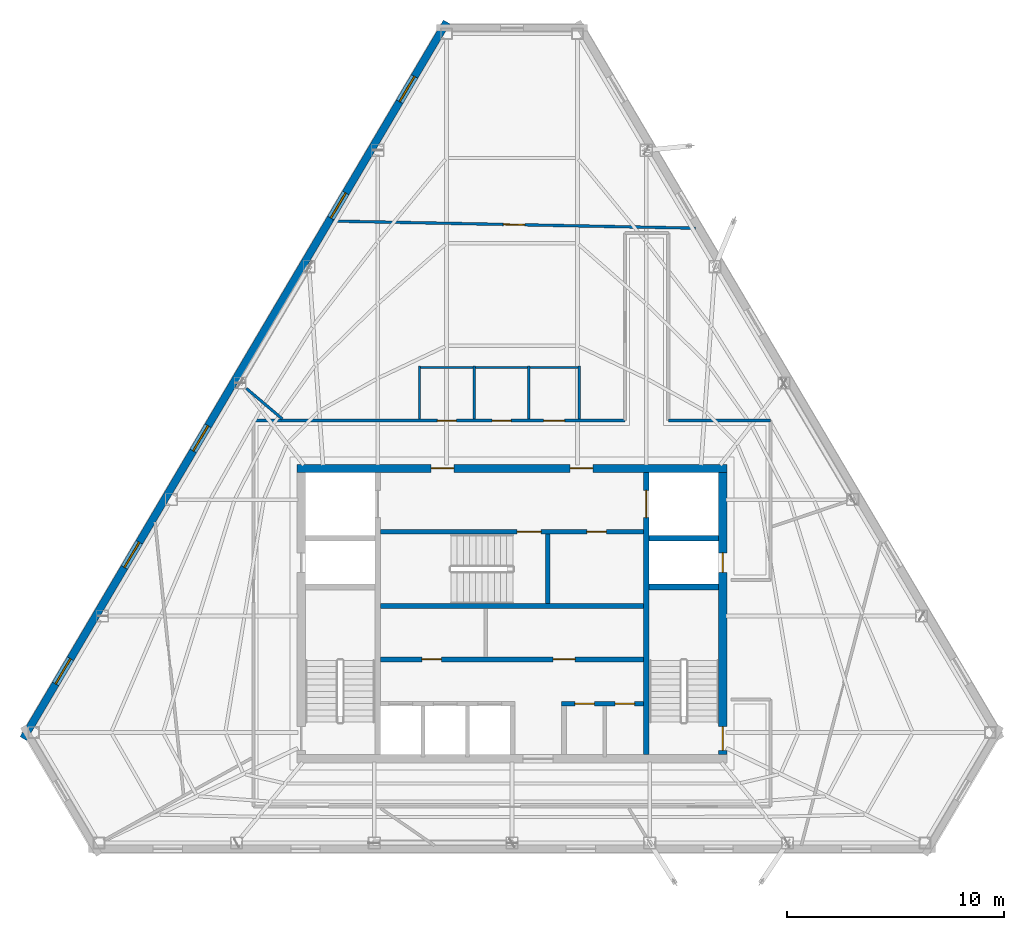
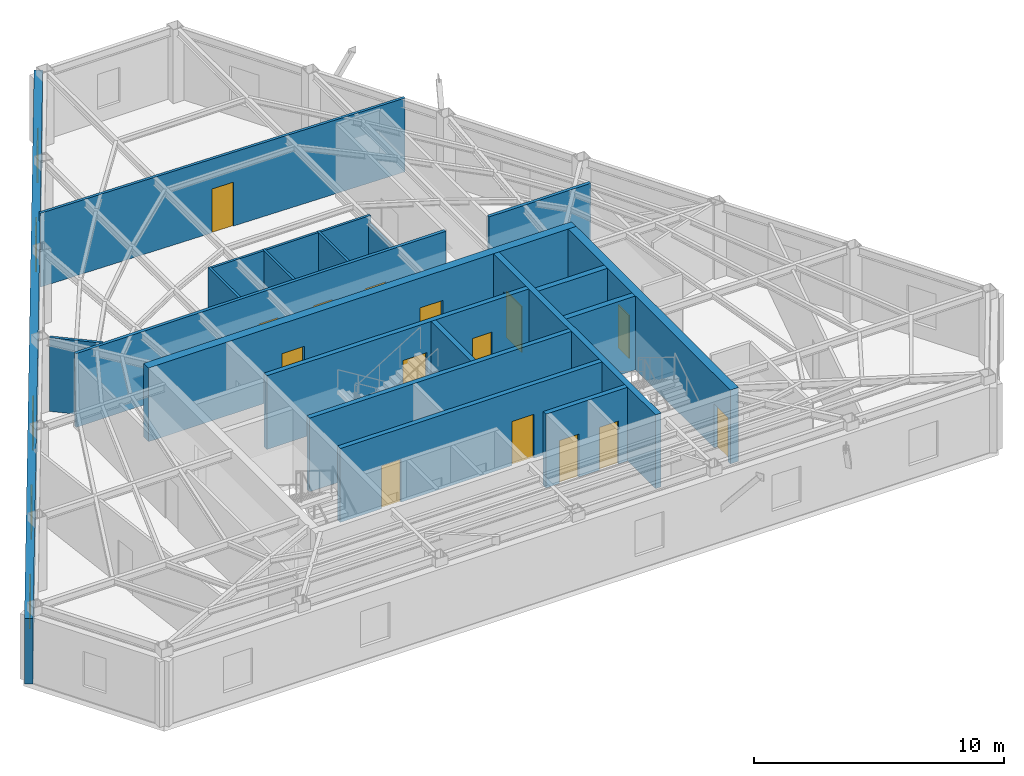
# One storey, part 8 of 10: 20 walls, 15 doors, 5 windows, 20 openings.
"""IFC4 building model written with IfcOpenShell, lengths in metres."""

from ifc_helpers import new_model, si_unit, direction, frame, frame_2d, origin, place, context, subcontext, project, spatial, rectangle, extrude, material, layer, layer_set, type_object, element, fill, save


model = new_model("IFC4")

# Units and contexts
model_context = context("Model", 3, precision=1e-05, world=origin(), true_north=direction((0.0, 1.0)))
body_context = subcontext(model_context, "Body", "Model", "MODEL_VIEW")
ifc_project = project(units=[si_unit("LENGTHUNIT", "METRE"), si_unit("AREAUNIT", "SQUARE_METRE"), si_unit("VOLUMEUNIT", "CUBIC_METRE"), si_unit("PLANEANGLEUNIT", "RADIAN"), si_unit("MASSUNIT", "GRAM", prefix="KILO")], contexts=[model_context])

# Site, building, storey
site_placement = place(None, origin())
site = spatial("IfcSite", under=ifc_project, at=site_placement, CompositionType="ELEMENT")
building_placement = place(site_placement, origin())
building = spatial("IfcBuilding", under=site, at=building_placement, Name="Kavelnor Concourse Tower", CompositionType="ELEMENT")
storey_placement = place(building_placement, frame((0.0, 0.0, 274.14990234375)))
storey = spatial("IfcBuildingStorey", under=building, at=storey_placement, Name="L69", CompositionType="ELEMENT", Elevation=274.14990234375)

# Wall, openings, doors
ifc_material_1 = material(Name="Concrete C50/60", Category="concrete")
ifc_layer_1 = layer(ifc_material_1, 0.3798828125, Name="Concrete C50/60")
ifc_layer_set_1 = layer_set([ifc_layer_1], Name="Concrete C50/60")
wall_type_1 = type_object("IfcWallType", Name="WL-CORE-Z4-380", PredefinedType="SOLIDWALL", material=ifc_layer_set_1)
wall_1_placement = place(storey_placement, frame((28.10009765625, 22.7900390625, 0.0), z_axis=(0.0, 0.0, 1.0), x_axis=(1.0, 0.0, 0.0)))
wall_1 = element("IfcWall", 1, at=wall_1_placement, inside=storey, type_object=wall_type_1, Name="L69 Central Core North Shear Wall", PredefinedType="SOLIDWALL", context=body_context, shape_type="SweptSolid", body=[
    extrude(rectangle(XDim=19.7998046875, YDim=0.3798828125, at=frame_2d((9.89990234375, 0.0))), origin(), (0.0, 0.0, 1.0), 3.610107421875),
])
opening_1_placement = place(wall_1_placement, frame((6.175048828125, 0.0, 0.0)))
opening_1 = element("IfcOpeningElement", 2, at=opening_1_placement, cuts=wall_1, Name="Opening FD-105", PredefinedType="OPENING", context=body_context, shape_type="SweptSolid", body=[
    extrude(rectangle(XDim=1.050048828125, YDim=2.14990234375, at=frame_2d((0.52490234375, 1.074951171875))), frame((0.0, 0.199951171875, 0.0), z_axis=(0.0, -1.0, 0.0), x_axis=(1.0, 0.0, 0.0)), (0.0, 0.0, 1.0), 0.39990234375),
])
opening_2_placement = place(wall_1_placement, frame((12.574951171875, 0.0, 0.0)))
opening_2 = element("IfcOpeningElement", 3, at=opening_2_placement, cuts=wall_1, Name="Opening FD-105", PredefinedType="OPENING", context=body_context, shape_type="SweptSolid", body=[
    extrude(rectangle(XDim=1.050048828125, YDim=2.14990234375, at=frame_2d((0.52490234375, 1.074951171875))), frame((0.0, 0.199951171875, 0.0), z_axis=(0.0, -1.0, 0.0), x_axis=(1.0, 0.0, 0.0)), (0.0, 0.0, 1.0), 0.39990234375),
])
ifc_material_2 = material(Name="Steel Grade 350", Category="steel")
door_type_1 = type_object("IfcDoorType", Name="DR-LOBBY-FIRE-1050", OperationType="NOTDEFINED", PredefinedType="DOOR", material=ifc_material_2)
door_1_placement = place(opening_1_placement, origin())
door_1 = element("IfcDoor", 4, at=door_1_placement, inside=storey, type_object=door_type_1, Name="L69 Emergency Lift Lobby West Door", OperationType="SINGLE_SWING_LEFT", OverallHeight=2.14990234375, OverallWidth=1.050048828125, PredefinedType="DOOR", context=body_context, shape_type="SweptSolid", body=[
    extrude(rectangle(XDim=1.050048828125, YDim=2.14990234375, at=frame_2d((0.52490234375, 1.074951171875))), frame((0.0, 0.02490234375, 0.0), z_axis=(0.0, -1.0, 0.0), x_axis=(1.0, 0.0, 0.0)), (0.0, 0.0, 1.0), 0.050048828125),
])
fill(opening_1, door_1)
door_2_placement = place(opening_2_placement, origin())
door_2 = element("IfcDoor", 5, at=door_2_placement, inside=storey, type_object=door_type_1, Name="L69 Emergency Lift Lobby East Door", OperationType="SINGLE_SWING_RIGHT", OverallHeight=2.14990234375, OverallWidth=1.050048828125, PredefinedType="DOOR", context=body_context, shape_type="SweptSolid", body=[
    extrude(rectangle(XDim=1.050048828125, YDim=2.14990234375, at=frame_2d((0.52490234375, 1.074951171875))), frame((0.0, 0.02490234375, 0.0), z_axis=(0.0, -1.0, 0.0), x_axis=(1.0, 0.0, 0.0)), (0.0, 0.0, 1.0), 0.050048828125),
])
fill(opening_2, door_2)

wall_2_placement = place(storey_placement, frame((47.7099609375, 9.60009765625, 0.0), z_axis=(0.0, 0.0, 1.0), x_axis=(0.0, 1.0, 0.0)))
wall_2 = element("IfcWall", 6, at=wall_2_placement, inside=storey, type_object=wall_type_1, Name="L69 Central Core East Shear Wall", PredefinedType="SOLIDWALL", context=body_context, shape_type="SweptSolid", body=[
    extrude(rectangle(XDim=13.0, YDim=0.3798828125, at=frame_2d((6.5, 0.0))), origin(), (0.0, 0.0, 1.0), 3.610107421875),
])
opening_3_placement = place(wall_2_placement, frame((0.199951171875, 0.0, 0.0)))
opening_3 = element("IfcOpeningElement", 7, at=opening_3_placement, cuts=wall_2, Name="Opening FD-110", PredefinedType="OPENING", context=body_context, shape_type="SweptSolid", body=[
    extrude(rectangle(XDim=1.10009765625, YDim=2.14990234375, at=frame_2d((0.550048828125, 1.074951171875))), frame((0.0, 0.199951171875, 0.0), z_axis=(0.0, -1.0, 0.0), x_axis=(1.0, 0.0, 0.0)), (0.0, 0.0, 1.0), 0.39990234375),
])
opening_4_placement = place(wall_2_placement, frame((8.39990234375, 0.0, 0.0)))
opening_4 = element("IfcOpeningElement", 8, at=opening_4_placement, cuts=wall_2, Name="Opening FD-090", PredefinedType="OPENING", context=body_context, shape_type="SweptSolid", body=[
    extrude(rectangle(XDim=0.89990234375, YDim=2.10009765625, at=frame_2d((0.449951171875, 1.050048828125))), frame((0.0, 0.199951171875, 0.0), z_axis=(0.0, -1.0, 0.0), x_axis=(1.0, 0.0, 0.0)), (0.0, 0.0, 1.0), 0.39990234375),
])
door_type_2 = type_object("IfcDoorType", Name="DR-RISER-FIRE-900", OperationType="NOTDEFINED", PredefinedType="DOOR", material=ifc_material_2)
door_3_placement = place(opening_4_placement, origin())
door_3 = element("IfcDoor", 9, at=door_3_placement, inside=storey, type_object=door_type_2, Name="L69 East Riser Access Door", OperationType="SINGLE_SWING_LEFT", OverallHeight=2.10009765625, OverallWidth=0.89990234375, PredefinedType="DOOR", context=body_context, shape_type="SweptSolid", body=[
    extrude(rectangle(XDim=0.89990234375, YDim=2.10009765625, at=frame_2d((0.449951171875, 1.050048828125))), frame((0.0, 0.02490234375, 0.0), z_axis=(0.0, -1.0, 0.0), x_axis=(1.0, 0.0, 0.0)), (0.0, 0.0, 1.0), 0.050048828125),
])
fill(opening_4, door_3)
door_type_3 = type_object("IfcDoorType", Name="DR-STAIR-FIRE-1100", OperationType="NOTDEFINED", PredefinedType="DOOR", material=ifc_material_2)
door_4_placement = place(opening_3_placement, origin())
door_4 = element("IfcDoor", 10, at=door_4_placement, inside=storey, type_object=door_type_3, Name="L69 Stair ST2 Fire Door", OperationType="SINGLE_SWING_RIGHT", OverallHeight=2.14990234375, OverallWidth=1.10009765625, PredefinedType="DOOR", context=body_context, shape_type="SweptSolid", body=[
    extrude(rectangle(XDim=1.10009765625, YDim=2.14990234375, at=frame_2d((0.550048828125, 1.074951171875))), frame((0.0, 0.02490234375, 0.0), z_axis=(0.0, -1.0, 0.0), x_axis=(1.0, 0.0, 0.0)), (0.0, 0.0, 1.0), 0.050048828125),
])
fill(opening_3, door_4)

# Wall, openings, windows
ifc_material_3 = material(Name="Red-ochre clay face brick masonry", Category="masonry")
ifc_layer_2 = layer(ifc_material_3, 0.35009765625, Name="Red-ochre clay face brick masonry")
ifc_layer_set_2 = layer_set([ifc_layer_2], Name="Red-ochre clay face brick masonry")
wall_type_2 = type_object("IfcWallType", Name="WL-EXT-RED-BRICK-PIER-350", PredefinedType="STANDARD", material=ifc_layer_set_2)
wall_3_placement = place(storey_placement, frame((15.485107421875, 10.34326171875, 0.0), z_axis=(0.0, 0.0, 1.0), x_axis=(0.508715156146, 0.860934892955, 0.0)))
wall_3 = element("IfcWall", 11, at=wall_3_placement, inside=storey, type_object=wall_type_2, Name="L69 Exterior Brick Facade Wall E1", PredefinedType="STANDARD", context=body_context, shape_type="SweptSolid", body=[
    extrude(rectangle(XDim=38.34912109375, YDim=0.35009765625, at=frame_2d((19.174560546875, 0.0))), origin(), (0.0, 0.0, 1.0), 3.196044921875),
])
opening_5_placement = place(wall_3_placement, frame((34.083984375, 0.0, 0.64990234375)))
opening_5 = element("IfcOpeningElement", 12, at=opening_5_placement, cuts=wall_3, Name="Opening W-04", PredefinedType="OPENING", context=body_context, shape_type="SweptSolid", body=[
    extrude(rectangle(XDim=1.35009765625, YDim=1.75, at=frame_2d((0.675048828125, 0.875))), frame((0.0, 0.18505859375, 0.0), z_axis=(0.0, -1.0, 0.0), x_axis=(1.0, 0.0, 0.0)), (0.0, 0.0, 1.0), 0.3701171875),
])
opening_6_placement = place(wall_3_placement, frame((27.852294921875, 0.0, 0.64990234375)))
opening_6 = element("IfcOpeningElement", 13, at=opening_6_placement, cuts=wall_3, Name="Opening W-04", PredefinedType="OPENING", context=body_context, shape_type="SweptSolid", body=[
    extrude(rectangle(XDim=1.35009765625, YDim=1.75, at=frame_2d((0.675048828125, 0.875))), frame((0.0, 0.18505859375, 0.0), z_axis=(0.0, -1.0, 0.0), x_axis=(1.0, 0.0, 0.0)), (0.0, 0.0, 1.0), 0.3701171875),
])
opening_7_placement = place(wall_3_placement, frame((15.388427734375, 0.0, 0.64990234375)))
opening_7 = element("IfcOpeningElement", 14, at=opening_7_placement, cuts=wall_3, Name="Opening W-04", PredefinedType="OPENING", context=body_context, shape_type="SweptSolid", body=[
    extrude(rectangle(XDim=1.35009765625, YDim=1.75, at=frame_2d((0.675048828125, 0.875))), frame((0.0, 0.18505859375, 0.0), z_axis=(0.0, -1.0, 0.0), x_axis=(1.0, 0.0, 0.0)), (0.0, 0.0, 1.0), 0.3701171875),
])
opening_8_placement = place(wall_3_placement, frame((9.156494140625, 0.0, 0.64990234375)))
opening_8 = element("IfcOpeningElement", 15, at=opening_8_placement, cuts=wall_3, Name="Opening W-04", PredefinedType="OPENING", context=body_context, shape_type="SweptSolid", body=[
    extrude(rectangle(XDim=1.35009765625, YDim=1.75, at=frame_2d((0.675048828125, 0.875))), frame((0.0, 0.18505859375, 0.0), z_axis=(0.0, -1.0, 0.0), x_axis=(1.0, 0.0, 0.0)), (0.0, 0.0, 1.0), 0.3701171875),
])
opening_9_placement = place(wall_3_placement, frame((2.924560546875, 0.0, 0.64990234375)))
opening_9 = element("IfcOpeningElement", 16, at=opening_9_placement, cuts=wall_3, Name="Opening W-04", PredefinedType="OPENING", context=body_context, shape_type="SweptSolid", body=[
    extrude(rectangle(XDim=1.35009765625, YDim=1.75, at=frame_2d((0.675048828125, 0.875))), frame((0.0, 0.18505859375, 0.0), z_axis=(0.0, -1.0, 0.0), x_axis=(1.0, 0.0, 0.0)), (0.0, 0.0, 1.0), 0.3701171875),
])
ifc_material_4 = material(Name="Double low-E argon insulated glazing", Category="glass")
window_type = type_object("IfcWindowType", Name="WIN-PIER-Z4-1350", PartitioningType="SINGLE_PANEL", PredefinedType="WINDOW", material=ifc_material_4)
window_1_placement = place(opening_5_placement, origin())
window_1 = element("IfcWindow", 17, at=window_1_placement, inside=storey, type_object=window_type, Name="L69 Deep-Set Brick Pier Window F0-B0", OverallHeight=1.75, OverallWidth=1.35009765625, PartitioningType="SINGLE_PANEL", PredefinedType="WINDOW", context=body_context, shape_type="SweptSolid", body=[
    extrude(rectangle(XDim=1.35009765625, YDim=1.75, at=frame_2d((0.675048828125, 0.875))), frame((0.0, 0.030029296875, 0.0), z_axis=(0.0, -1.0, 0.0), x_axis=(1.0, 0.0, 0.0)), (0.0, 0.0, 1.0), 0.06005859375),
])
fill(opening_5, window_1)
window_2_placement = place(opening_6_placement, origin())
window_2 = element("IfcWindow", 18, at=window_2_placement, inside=storey, type_object=window_type, Name="L69 Deep-Set Brick Pier Window F0-B1", OverallHeight=1.75, OverallWidth=1.35009765625, PartitioningType="SINGLE_PANEL", PredefinedType="WINDOW", context=body_context, shape_type="SweptSolid", body=[
    extrude(rectangle(XDim=1.35009765625, YDim=1.75, at=frame_2d((0.675048828125, 0.875))), frame((0.0, 0.030029296875, 0.0), z_axis=(0.0, -1.0, 0.0), x_axis=(1.0, 0.0, 0.0)), (0.0, 0.0, 1.0), 0.06005859375),
])
fill(opening_6, window_2)
window_3_placement = place(opening_7_placement, origin())
window_3 = element("IfcWindow", 19, at=window_3_placement, inside=storey, type_object=window_type, Name="L69 Deep-Set Brick Pier Window F0-B3", OverallHeight=1.75, OverallWidth=1.35009765625, PartitioningType="SINGLE_PANEL", PredefinedType="WINDOW", context=body_context, shape_type="SweptSolid", body=[
    extrude(rectangle(XDim=1.35009765625, YDim=1.75, at=frame_2d((0.675048828125, 0.875))), frame((0.0, 0.030029296875, 0.0), z_axis=(0.0, -1.0, 0.0), x_axis=(1.0, 0.0, 0.0)), (0.0, 0.0, 1.0), 0.06005859375),
])
fill(opening_7, window_3)
window_4_placement = place(opening_8_placement, origin())
window_4 = element("IfcWindow", 20, at=window_4_placement, inside=storey, type_object=window_type, Name="L69 Deep-Set Brick Pier Window F0-B4", OverallHeight=1.75, OverallWidth=1.35009765625, PartitioningType="SINGLE_PANEL", PredefinedType="WINDOW", context=body_context, shape_type="SweptSolid", body=[
    extrude(rectangle(XDim=1.35009765625, YDim=1.75, at=frame_2d((0.675048828125, 0.875))), frame((0.0, 0.030029296875, 0.0), z_axis=(0.0, -1.0, 0.0), x_axis=(1.0, 0.0, 0.0)), (0.0, 0.0, 1.0), 0.06005859375),
])
fill(opening_8, window_4)
window_5_placement = place(opening_9_placement, origin())
window_5 = element("IfcWindow", 21, at=window_5_placement, inside=storey, type_object=window_type, Name="L69 Deep-Set Brick Pier Window F0-B5", OverallHeight=1.75, OverallWidth=1.35009765625, PartitioningType="SINGLE_PANEL", PredefinedType="WINDOW", context=body_context, shape_type="SweptSolid", body=[
    extrude(rectangle(XDim=1.35009765625, YDim=1.75, at=frame_2d((0.675048828125, 0.875))), frame((0.0, 0.030029296875, 0.0), z_axis=(0.0, -1.0, 0.0), x_axis=(1.0, 0.0, 0.0)), (0.0, 0.0, 1.0), 0.06005859375),
])
fill(opening_9, window_5)

# Wall
ifc_material_5 = material(Name="Gypsum plasterboard on light-gauge steel studs", Category="steel")
ifc_layer_3 = layer(ifc_material_5, 0.14501953125, Name="Gypsum plasterboard on light-gauge steel studs")
ifc_layer_set_3 = layer_set([ifc_layer_3], Name="Gypsum plasterboard on light-gauge steel studs")
wall_type_3 = type_object("IfcWallType", Name="WL-INT-CORR-145", PredefinedType="PARTITIONING", material=ifc_layer_set_3)
wall_4_placement = place(storey_placement, frame((45.199951171875, 24.989990234375, 0.0), z_axis=(0.0, 0.0, 1.0), x_axis=(1.0, 0.0, 0.0)))
element("IfcWall", 22, at=wall_4_placement, inside=storey, type_object=wall_type_3, Name="L69 Corridor Wall WL-L69-CR-04", PredefinedType="PARTITIONING", context=body_context, shape_type="SweptSolid", body=[
    extrude(rectangle(XDim=4.7099609375, YDim=0.14501953125, at=frame_2d((2.35498046875, 0.0))), origin(), (0.0, 0.0, 1.0), 3.610107421875),
])

# Wall, openings, doors
wall_5_placement = place(storey_placement, frame((26.090087890625, 24.989990234375, 0.0), z_axis=(0.0, 0.0, 1.0), x_axis=(1.0, 0.0, 0.0)))
wall_5 = element("IfcWall", 23, at=wall_5_placement, inside=storey, type_object=wall_type_3, Name="L69 Corridor Wall WL-L69-CR-11", PredefinedType="PARTITIONING", context=body_context, shape_type="SweptSolid", body=[
    extrude(rectangle(XDim=17.10986328125, YDim=0.14501953125, at=frame_2d((8.554931640625, 0.0))), origin(), (0.0, 0.0, 1.0), 3.610107421875),
])
opening_10_placement = place(wall_5_placement, frame((8.469970703125, 0.0, 0.0)))
opening_10 = element("IfcOpeningElement", 24, at=opening_10_placement, cuts=wall_5, Name="Opening WD-088", PredefinedType="OPENING", context=body_context, shape_type="SweptSolid", body=[
    extrude(rectangle(XDim=0.8798828125, YDim=2.10009765625, at=frame_2d((0.43994140625, 1.050048828125))), frame((0.0, 0.08251953125, 0.0), z_axis=(0.0, -1.0, 0.0), x_axis=(1.0, 0.0, 0.0)), (0.0, 0.0, 1.0), 0.1650390625),
])
opening_11_placement = place(wall_5_placement, frame((10.989990234375, 0.0, 0.0)))
opening_11 = element("IfcOpeningElement", 25, at=opening_11_placement, cuts=wall_5, Name="Opening WD-088", PredefinedType="OPENING", context=body_context, shape_type="SweptSolid", body=[
    extrude(rectangle(XDim=0.8798828125, YDim=2.10009765625, at=frame_2d((0.43994140625, 1.050048828125))), frame((0.0, 0.08251953125, 0.0), z_axis=(0.0, -1.0, 0.0), x_axis=(1.0, 0.0, 0.0)), (0.0, 0.0, 1.0), 0.1650390625),
])
opening_12_placement = place(wall_5_placement, frame((13.3701171875, 0.0, 0.0)))
opening_12 = element("IfcOpeningElement", 26, at=opening_12_placement, cuts=wall_5, Name="Opening WD-096", PredefinedType="OPENING", context=body_context, shape_type="SweptSolid", body=[
    extrude(rectangle(XDim=0.9599609375, YDim=2.10009765625, at=frame_2d((0.47998046875, 1.050048828125))), frame((0.0, 0.08251953125, 0.0), z_axis=(0.0, -1.0, 0.0), x_axis=(1.0, 0.0, 0.0)), (0.0, 0.0, 1.0), 0.1650390625),
])
ifc_material_6 = material(Name="Solid-core hardwood timber", Category="wood")
door_type_4 = type_object("IfcDoorType", Name="DR-WC-ACC-960", OperationType="NOTDEFINED", PredefinedType="DOOR", material=ifc_material_6)
door_5_placement = place(opening_12_placement, origin())
door_5 = element("IfcDoor", 27, at=door_5_placement, inside=storey, type_object=door_type_4, Name="L69 Accessible WC Door", OperationType="SINGLE_SWING_RIGHT", OverallHeight=2.10009765625, OverallWidth=0.9599609375, PredefinedType="DOOR", context=body_context, shape_type="SweptSolid", body=[
    extrude(rectangle(XDim=0.9599609375, YDim=2.10009765625, at=frame_2d((0.47998046875, 1.050048828125))), frame((0.0, 0.02490234375, 0.0), z_axis=(0.0, -1.0, 0.0), x_axis=(1.0, 0.0, 0.0)), (0.0, 0.0, 1.0), 0.050048828125),
])
fill(opening_12, door_5)
door_type_5 = type_object("IfcDoorType", Name="DR-WC-STD-880", OperationType="NOTDEFINED", PredefinedType="DOOR", material=ifc_material_6)
door_6_placement = place(opening_10_placement, origin())
door_6 = element("IfcDoor", 28, at=door_6_placement, inside=storey, type_object=door_type_5, Name="L69 Male WC Door", OperationType="SINGLE_SWING_RIGHT", OverallHeight=2.10009765625, OverallWidth=0.8798828125, PredefinedType="DOOR", context=body_context, shape_type="SweptSolid", body=[
    extrude(rectangle(XDim=0.8798828125, YDim=2.10009765625, at=frame_2d((0.43994140625, 1.050048828125))), frame((0.0, 0.02490234375, 0.0), z_axis=(0.0, -1.0, 0.0), x_axis=(1.0, 0.0, 0.0)), (0.0, 0.0, 1.0), 0.050048828125),
])
fill(opening_10, door_6)
door_7_placement = place(opening_11_placement, origin())
door_7 = element("IfcDoor", 29, at=door_7_placement, inside=storey, type_object=door_type_5, Name="L69 Female WC Door", OperationType="SINGLE_SWING_LEFT", OverallHeight=2.10009765625, OverallWidth=0.8798828125, PredefinedType="DOOR", context=body_context, shape_type="SweptSolid", body=[
    extrude(rectangle(XDim=0.8798828125, YDim=2.10009765625, at=frame_2d((0.43994140625, 1.050048828125))), frame((0.0, 0.02490234375, 0.0), z_axis=(0.0, -1.0, 0.0), x_axis=(1.0, 0.0, 0.0)), (0.0, 0.0, 1.0), 0.050048828125),
])
fill(opening_11, door_7)

# Wall
ifc_layer_4 = layer(ifc_material_5, 0.125, Name="Gypsum plasterboard on light-gauge steel studs")
ifc_layer_set_4 = layer_set([ifc_layer_4], Name="Gypsum plasterboard on light-gauge steel studs")
wall_type_4 = type_object("IfcWallType", Name="WL-INT-SUITE-125", PredefinedType="PARTITIONING", material=ifc_layer_set_4)
wall_6_placement = place(storey_placement, frame((27.418212890625, 25.070556640625, 0.0), z_axis=(0.0, 0.0, 1.0), x_axis=(-0.762865508765, 0.646557202061, 0.0)))
element("IfcWall", 30, at=wall_6_placement, inside=storey, type_object=wall_type_4, Name="L69 Radial Suite Partition 02", PredefinedType="PARTITIONING", context=body_context, shape_type="SweptSolid", body=[
    extrude(rectangle(XDim=2.17041015625, YDim=0.125, at=frame_2d((1.085205078125, 0.0))), origin(), (0.0, 0.0, 1.0), 3.610107421875),
])

# Wall, opening, door
wall_7_placement = place(storey_placement, frame((46.446044921875, 33.85791015625, 0.0), z_axis=(0.0, 0.0, 1.0), x_axis=(-0.999807860979, 0.019602069382, 0.0)))
wall_7 = element("IfcWall", 31, at=wall_7_placement, inside=storey, type_object=wall_type_4, Name="L69 Suite Subdivision Partition 01", PredefinedType="PARTITIONING", context=body_context, shape_type="SweptSolid", body=[
    extrude(rectangle(XDim=16.701904296875, YDim=0.125, at=frame_2d((8.35107421875, 0.0))), origin(), (0.0, 0.0, 1.0), 3.610107421875),
])
opening_13_placement = place(wall_7_placement, frame((7.861083984375, 0.0, 0.0)))
opening_13 = element("IfcOpeningElement", 32, at=opening_13_placement, cuts=wall_7, Name="Opening OD-098", PredefinedType="OPENING", context=body_context, shape_type="SweptSolid", body=[
    extrude(rectangle(XDim=0.97998046875, YDim=2.14990234375, at=frame_2d((0.489990234375, 1.074951171875))), frame((0.0, 0.072509765625, 0.0), z_axis=(0.0, -1.0, 0.0), x_axis=(1.0, 0.0, 0.0)), (0.0, 0.0, 1.0), 0.14501953125),
])
door_type_6 = type_object("IfcDoorType", Name="DR-OFFICE-980", OperationType="NOTDEFINED", PredefinedType="DOOR", material=ifc_material_6)
door_8_placement = place(opening_13_placement, origin())
door_8 = element("IfcDoor", 33, at=door_8_placement, inside=storey, type_object=door_type_6, Name="L69 Tenant Bookstore Retail Shop 02 Door", OperationType="SINGLE_SWING_RIGHT", OverallHeight=2.14990234375, OverallWidth=0.97998046875, PredefinedType="DOOR", context=body_context, shape_type="SweptSolid", body=[
    extrude(rectangle(XDim=0.97998046875, YDim=2.14990234375, at=frame_2d((0.489990234375, 1.074951171875))), frame((0.0, 0.02490234375, 0.0), z_axis=(0.0, -1.0, 0.0), x_axis=(1.0, 0.0, 0.0)), (0.0, 0.0, 1.0), 0.050048828125),
])
fill(opening_13, door_8)

# Walls
ifc_layer_5 = layer(ifc_material_5, 0.110107421875, Name="Gypsum plasterboard on light-gauge steel studs")
ifc_layer_set_5 = layer_set([ifc_layer_5], Name="Gypsum plasterboard on light-gauge steel studs")
wall_type_5 = type_object("IfcWallType", Name="WL-INT-WC-110", PredefinedType="PLUMBINGWALL", material=ifc_layer_set_5)
for number, where, z_axis, x_axis, name in (
    (34, (33.739990234375, 25.06005859375, 0.0), (0.0, 0.0, 1.0), (0.0, 1.0, 0.0), "L69 Sanitary Partition WL-L69-WC-W"),
    (35, (36.260009765625, 25.06005859375, 0.0), (0.0, 0.0, 1.0), (0.0, 1.0, 0.0), "L69 Sanitary Partition WL-L69-WC-D1"),
    (36, (38.780029296875, 25.06005859375, 0.0), (0.0, 0.0, 1.0), (0.0, 1.0, 0.0), "L69 Sanitary Partition WL-L69-WC-D2"),
):
    element("IfcWall", number, at=place(storey_placement, frame(where, z_axis=z_axis, x_axis=x_axis)), inside=storey, type_object=wall_type_5, Name=name, PredefinedType="PLUMBINGWALL", context=body_context, shape_type="SweptSolid", body=[
        extrude(rectangle(XDim=2.43994140625, YDim=0.110107421875, at=frame_2d((1.219970703125, 0.0))), origin(), (0.0, 0.0, 1.0), 3.610107421875),
    ])
wall_8_placement = place(storey_placement, frame((41.10009765625, 25.06005859375, 0.0), z_axis=(0.0, 0.0, 1.0), x_axis=(0.0, 1.0, 0.0)))
element("IfcWall", 37, at=wall_8_placement, inside=storey, type_object=wall_type_5, Name="L69 Sanitary Partition WL-L69-WC-E", PredefinedType="PLUMBINGWALL", context=body_context, shape_type="SweptSolid", body=[
    extrude(rectangle(XDim=2.43994140625, YDim=0.110107421875, at=frame_2d((1.219970703125, 0.0))), origin(), (0.0, 0.0, 1.0), 3.24609375),
])
wall_9_placement = place(storey_placement, frame((33.68994140625, 27.43994140625, 0.0), z_axis=(0.0, 0.0, 1.0), x_axis=(1.0, 0.0, 0.0)))
element("IfcWall", 38, at=wall_9_placement, inside=storey, type_object=wall_type_5, Name="L69 Sanitary Partition WL-L69-WC-N", PredefinedType="PLUMBINGWALL", context=body_context, shape_type="SweptSolid", body=[
    extrude(rectangle(XDim=7.4599609375, YDim=0.110107421875, at=frame_2d((3.72998046875, 0.0))), origin(), (0.0, 0.0, 1.0), 3.610107421875),
])

# Wall, openings, doors
ifc_layer_6 = layer(ifc_material_1, 0.219970703125, Name="Concrete C50/60")
ifc_layer_set_6 = layer_set([ifc_layer_6], Name="Concrete C50/60")
wall_type_6 = type_object("IfcWallType", Name="WL-SHAFT-220", PredefinedType="SOLIDWALL", material=ifc_layer_set_6)
wall_10_placement = place(storey_placement, frame((31.93994140625, 19.8701171875, 0.0), z_axis=(0.0, 0.0, 1.0), x_axis=(1.0, 0.0, 0.0)))
wall_10 = element("IfcWall", 39, at=wall_10_placement, inside=storey, type_object=wall_type_6, Name="L69 Emergency Lift Lobby South Wall", PredefinedType="SOLIDWALL", context=body_context, shape_type="SweptSolid", body=[
    extrude(rectangle(XDim=12.1201171875, YDim=0.219970703125, at=frame_2d((6.06005859375, 0.0))), origin(), (0.0, 0.0, 1.0), 3.610107421875),
])
opening_14_placement = place(wall_10_placement, frame((6.300048828125, 0.0, 0.0)))
opening_14 = element("IfcOpeningElement", 40, at=opening_14_placement, cuts=wall_10, Name="Opening FD-110", PredefinedType="OPENING", context=body_context, shape_type="SweptSolid", body=[
    extrude(rectangle(XDim=1.10009765625, YDim=2.14990234375, at=frame_2d((0.550048828125, 1.074951171875))), frame((0.0, 0.1201171875, 0.0), z_axis=(0.0, -1.0, 0.0), x_axis=(1.0, 0.0, 0.0)), (0.0, 0.0, 1.0), 0.239990234375),
])
opening_15_placement = place(wall_10_placement, frame((9.510009765625, 0.0, 0.0)))
opening_15 = element("IfcOpeningElement", 41, at=opening_15_placement, cuts=wall_10, Name="Opening FD-090", PredefinedType="OPENING", context=body_context, shape_type="SweptSolid", body=[
    extrude(rectangle(XDim=0.89990234375, YDim=2.10009765625, at=frame_2d((0.449951171875, 1.050048828125))), frame((0.0, 0.1201171875, 0.0), z_axis=(0.0, -1.0, 0.0), x_axis=(1.0, 0.0, 0.0)), (0.0, 0.0, 1.0), 0.239990234375),
])
door_9_placement = place(opening_15_placement, origin())
door_9 = element("IfcDoor", 42, at=door_9_placement, inside=storey, type_object=door_type_2, Name="L69 Electrical Comms Door", OperationType="SINGLE_SWING_LEFT", OverallHeight=2.10009765625, OverallWidth=0.89990234375, PredefinedType="DOOR", context=body_context, shape_type="SweptSolid", body=[
    extrude(rectangle(XDim=0.89990234375, YDim=2.10009765625, at=frame_2d((0.449951171875, 1.050048828125))), frame((0.0, 0.02490234375, 0.0), z_axis=(0.0, -1.0, 0.0), x_axis=(1.0, 0.0, 0.0)), (0.0, 0.0, 1.0), 0.050048828125),
])
fill(opening_15, door_9)
door_10_placement = place(opening_14_placement, origin())
door_10 = element("IfcDoor", 43, at=door_10_placement, inside=storey, type_object=door_type_3, Name="L69 Stair ST3 Fire Door", OperationType="SINGLE_SWING_LEFT", OverallHeight=2.14990234375, OverallWidth=1.10009765625, PredefinedType="DOOR", context=body_context, shape_type="SweptSolid", body=[
    extrude(rectangle(XDim=1.10009765625, YDim=2.14990234375, at=frame_2d((0.550048828125, 1.074951171875))), frame((0.0, 0.02490234375, 0.0), z_axis=(0.0, -1.0, 0.0), x_axis=(1.0, 0.0, 0.0)), (0.0, 0.0, 1.0), 0.050048828125),
])
fill(opening_14, door_10)

# Walls
wall_11_placement = place(storey_placement, frame((31.93994140625, 16.449951171875, 0.0), z_axis=(0.0, 0.0, 1.0), x_axis=(1.0, 0.0, 0.0)))
element("IfcWall", 44, at=wall_11_placement, inside=storey, type_object=wall_type_6, Name="L69 Stair ST3 South Core Wall", PredefinedType="SOLIDWALL", context=body_context, shape_type="SweptSolid", body=[
    extrude(rectangle(XDim=12.1201171875, YDim=0.219970703125, at=frame_2d((6.06005859375, 0.0))), origin(), (0.0, 0.0, 1.0), 3.610107421875),
])
wall_12_placement = place(storey_placement, frame((39.64990234375, 16.56005859375, 0.0), z_axis=(0.0, 0.0, 1.0), x_axis=(0.0, 1.0, 0.0)))
element("IfcWall", 45, at=wall_12_placement, inside=storey, type_object=wall_type_6, Name="L69 Stair ST3 East Core Wall", PredefinedType="SOLIDWALL", context=body_context, shape_type="SweptSolid", body=[
    extrude(rectangle(XDim=3.199951171875, YDim=0.219970703125, at=frame_2d((1.60009765625, 0.0))), origin(), (0.0, 0.0, 1.0), 3.610107421875),
])

# Wall, openings, doors
wall_13_placement = place(storey_placement, frame((31.93994140625, 13.989990234375, 0.0), z_axis=(0.0, 0.0, 1.0), x_axis=(1.0, 0.0, 0.0)))
wall_13 = element("IfcWall", 46, at=wall_13_placement, inside=storey, type_object=wall_type_6, Name="L69 North Lift Row Shaft Wall", PredefinedType="SOLIDWALL", context=body_context, shape_type="SweptSolid", body=[
    extrude(rectangle(XDim=12.1201171875, YDim=0.219970703125, at=frame_2d((6.06005859375, 0.0))), origin(), (0.0, 0.0, 1.0), 3.610107421875),
])
opening_16_placement = place(wall_13_placement, frame((1.909912109375, 0.0, 0.0)))
opening_16 = element("IfcOpeningElement", 47, at=opening_16_placement, cuts=wall_13, Name="Opening FD-090", PredefinedType="OPENING", context=body_context, shape_type="SweptSolid", body=[
    extrude(rectangle(XDim=0.89990234375, YDim=2.10009765625, at=frame_2d((0.449951171875, 1.050048828125))), frame((0.0, 0.1201171875, 0.0), z_axis=(0.0, -1.0, 0.0), x_axis=(1.0, 0.0, 0.0)), (0.0, 0.0, 1.0), 0.239990234375),
])
opening_17_placement = place(wall_13_placement, frame((7.949951171875, 0.0, 0.0)))
opening_17 = element("IfcOpeningElement", 48, at=opening_17_placement, cuts=wall_13, Name="Opening MD-102", PredefinedType="OPENING", context=body_context, shape_type="SweptSolid", body=[
    extrude(rectangle(XDim=1.02001953125, YDim=2.14990234375, at=frame_2d((0.510009765625, 1.074951171875))), frame((0.0, 0.1201171875, 0.0), z_axis=(0.0, -1.0, 0.0), x_axis=(1.0, 0.0, 0.0)), (0.0, 0.0, 1.0), 0.239990234375),
])
ifc_material_7 = material(Name="Acoustic glazed timber frame", Category="wood")
door_type_7 = type_object("IfcDoorType", Name="DR-MEETING-1020", OperationType="NOTDEFINED", PredefinedType="DOOR", material=ifc_material_7)
door_11_placement = place(opening_17_placement, origin())
door_11 = element("IfcDoor", 49, at=door_11_placement, inside=storey, type_object=door_type_7, Name="L69 Briefing Room Door", OperationType="SINGLE_SWING_RIGHT", OverallHeight=2.14990234375, OverallWidth=1.02001953125, PredefinedType="DOOR", context=body_context, shape_type="SweptSolid", body=[
    extrude(rectangle(XDim=1.02001953125, YDim=2.14990234375, at=frame_2d((0.510009765625, 1.074951171875))), frame((0.0, 0.02490234375, 0.0), z_axis=(0.0, -1.0, 0.0), x_axis=(1.0, 0.0, 0.0)), (0.0, 0.0, 1.0), 0.050048828125),
])
fill(opening_17, door_11)
door_12_placement = place(opening_16_placement, origin())
door_12 = element("IfcDoor", 50, at=door_12_placement, inside=storey, type_object=door_type_2, Name="L69 IT Room Door", OperationType="SINGLE_SWING_LEFT", OverallHeight=2.10009765625, OverallWidth=0.89990234375, PredefinedType="DOOR", context=body_context, shape_type="SweptSolid", body=[
    extrude(rectangle(XDim=0.89990234375, YDim=2.10009765625, at=frame_2d((0.449951171875, 1.050048828125))), frame((0.0, 0.02490234375, 0.0), z_axis=(0.0, -1.0, 0.0), x_axis=(1.0, 0.0, 0.0)), (0.0, 0.0, 1.0), 0.050048828125),
])
fill(opening_16, door_12)

wall_14_placement = place(storey_placement, frame((40.280029296875, 11.949951171875, 0.0), z_axis=(0.0, 0.0, 1.0), x_axis=(1.0, 0.0, 0.0)))
wall_14 = element("IfcWall", 51, at=wall_14_placement, inside=storey, type_object=wall_type_6, Name="L69 Core South Support North Wall", PredefinedType="SOLIDWALL", context=body_context, shape_type="SweptSolid", body=[
    extrude(rectangle(XDim=3.780029296875, YDim=0.219970703125, at=frame_2d((1.89013671875, 0.0))), origin(), (0.0, 0.0, 1.0), 3.610107421875),
])
opening_18_placement = place(wall_14_placement, frame((0.6201171875, 0.0, 0.0)))
opening_18 = element("IfcOpeningElement", 52, at=opening_18_placement, cuts=wall_14, Name="Opening FD-090", PredefinedType="OPENING", context=body_context, shape_type="SweptSolid", body=[
    extrude(rectangle(XDim=0.89990234375, YDim=2.10009765625, at=frame_2d((0.449951171875, 1.050048828125))), frame((0.0, 0.1201171875, 0.0), z_axis=(0.0, -1.0, 0.0), x_axis=(1.0, 0.0, 0.0)), (0.0, 0.0, 1.0), 0.239990234375),
])
opening_19_placement = place(wall_14_placement, frame((2.469970703125, 0.0, 0.0)))
opening_19 = element("IfcOpeningElement", 53, at=opening_19_placement, cuts=wall_14, Name="Opening FD-090", PredefinedType="OPENING", context=body_context, shape_type="SweptSolid", body=[
    extrude(rectangle(XDim=0.89990234375, YDim=2.10009765625, at=frame_2d((0.449951171875, 1.050048828125))), frame((0.0, 0.1201171875, 0.0), z_axis=(0.0, -1.0, 0.0), x_axis=(1.0, 0.0, 0.0)), (0.0, 0.0, 1.0), 0.239990234375),
])
door_13_placement = place(opening_18_placement, origin())
door_13 = element("IfcDoor", 54, at=door_13_placement, inside=storey, type_object=door_type_2, Name="L69 Cleaner Cupboard Door", OperationType="SINGLE_SWING_RIGHT", OverallHeight=2.10009765625, OverallWidth=0.89990234375, PredefinedType="DOOR", context=body_context, shape_type="SweptSolid", body=[
    extrude(rectangle(XDim=0.89990234375, YDim=2.10009765625, at=frame_2d((0.449951171875, 1.050048828125))), frame((0.0, 0.02490234375, 0.0), z_axis=(0.0, -1.0, 0.0), x_axis=(1.0, 0.0, 0.0)), (0.0, 0.0, 1.0), 0.050048828125),
])
fill(opening_18, door_13)
door_14_placement = place(opening_19_placement, origin())
door_14 = element("IfcDoor", 55, at=door_14_placement, inside=storey, type_object=door_type_2, Name="L69 Supplies Store Door", OperationType="SINGLE_SWING_LEFT", OverallHeight=2.10009765625, OverallWidth=0.89990234375, PredefinedType="DOOR", context=body_context, shape_type="SweptSolid", body=[
    extrude(rectangle(XDim=0.89990234375, YDim=2.10009765625, at=frame_2d((0.449951171875, 1.050048828125))), frame((0.0, 0.02490234375, 0.0), z_axis=(0.0, -1.0, 0.0), x_axis=(1.0, 0.0, 0.0)), (0.0, 0.0, 1.0), 0.050048828125),
])
fill(opening_19, door_14)

# Wall, opening, door
ifc_layer_7 = layer(ifc_material_1, 0.260009765625, Name="Concrete C50/60")
ifc_layer_set_7 = layer_set([ifc_layer_7], Name="Concrete C50/60")
wall_type_7 = type_object("IfcWallType", Name="WL-SHAFT-260", PredefinedType="SHEAR", material=ifc_layer_set_7)
wall_15_placement = place(storey_placement, frame((44.18994140625, 9.60009765625, 0.0), z_axis=(0.0, 0.0, 1.0), x_axis=(0.0, 1.0, 0.0)))
wall_15 = element("IfcWall", 56, at=wall_15_placement, inside=storey, type_object=wall_type_7, Name="L69 Core East Wing Shear Wall", PredefinedType="SHEAR", context=body_context, shape_type="SweptSolid", body=[
    extrude(rectangle(XDim=13.0, YDim=0.260009765625, at=frame_2d((6.5, 0.0))), origin(), (0.0, 0.0, 1.0), 3.610107421875),
])
opening_20_placement = place(wall_15_placement, frame((10.925048828125, 0.0, 0.0)))
opening_20 = element("IfcOpeningElement", 57, at=opening_20_placement, cuts=wall_15, Name="Opening LD-125", PredefinedType="OPENING", context=body_context, shape_type="SweptSolid", body=[
    extrude(rectangle(XDim=1.25, YDim=2.25, at=frame_2d((0.625, 1.125))), frame((0.0, 0.14013671875, 0.0), z_axis=(0.0, -1.0, 0.0), x_axis=(1.0, 0.0, 0.0)), (0.0, 0.0, 1.0), 0.280029296875),
])
door_type_8 = type_object("IfcDoorType", Name="DR-LIFT-SLIDING-1250", OperationType="NOTDEFINED", PredefinedType="DOOR", material=ifc_material_2)
door_15_placement = place(opening_20_placement, origin())
door_15 = element("IfcDoor", 58, at=door_15_placement, inside=storey, type_object=door_type_8, Name="L69 Emergency Lift FL2 Landing Door", OperationType="DOUBLE_DOOR_SLIDING", OverallHeight=2.25, OverallWidth=1.25, PredefinedType="DOOR", context=body_context, shape_type="SweptSolid", body=[
    extrude(rectangle(XDim=1.25, YDim=2.25, at=frame_2d((0.625, 1.125))), frame((0.0, 0.02490234375, 0.0), z_axis=(0.0, -1.0, 0.0), x_axis=(1.0, 0.0, 0.0)), (0.0, 0.0, 1.0), 0.050048828125),
])
fill(opening_20, door_15)

# Walls
for number, where, z_axis, x_axis, name in (
    (59, (44.320068359375, 17.330078125, 0.0), (0.0, 0.0, 1.0), (1.0, 0.0, 0.0), "L69 Stair ST2 North Shaft Wall"),
    (60, (44.320068359375, 19.570068359375, 0.0), (0.0, 0.0, 1.0), (1.0, 0.0, 0.0), "L69 Emergency Lift FL2 South Shaft Wall"),
):
    element("IfcWall", number, at=place(storey_placement, frame(where, z_axis=z_axis, x_axis=x_axis)), inside=storey, type_object=wall_type_7, Name=name, PredefinedType="SHEAR", context=body_context, shape_type="SweptSolid", body=[
        extrude(rectangle(XDim=3.199951171875, YDim=0.260009765625, at=frame_2d((1.60009765625, 0.0))), origin(), (0.0, 0.0, 1.0), 3.610107421875),
    ])

save(model, "model.ifc")
